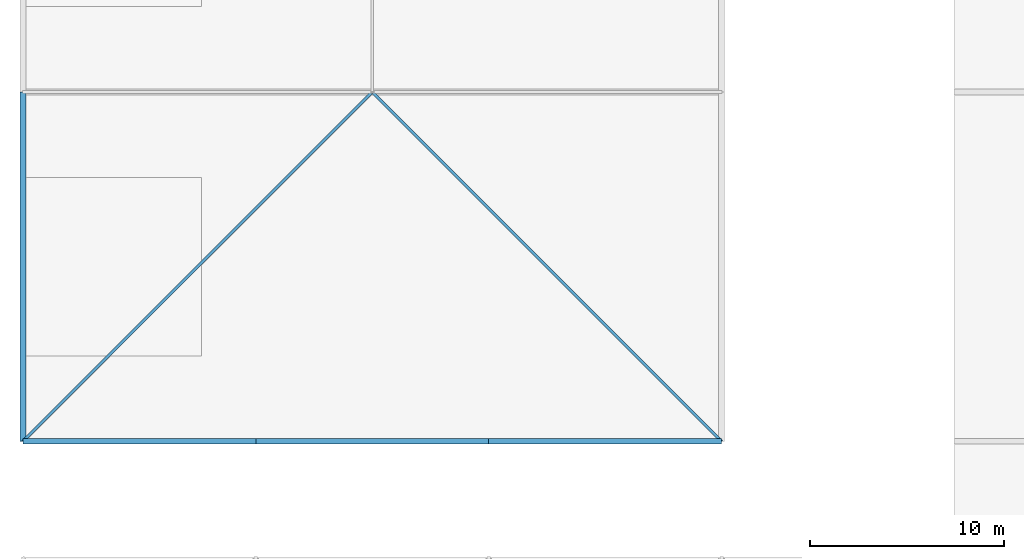
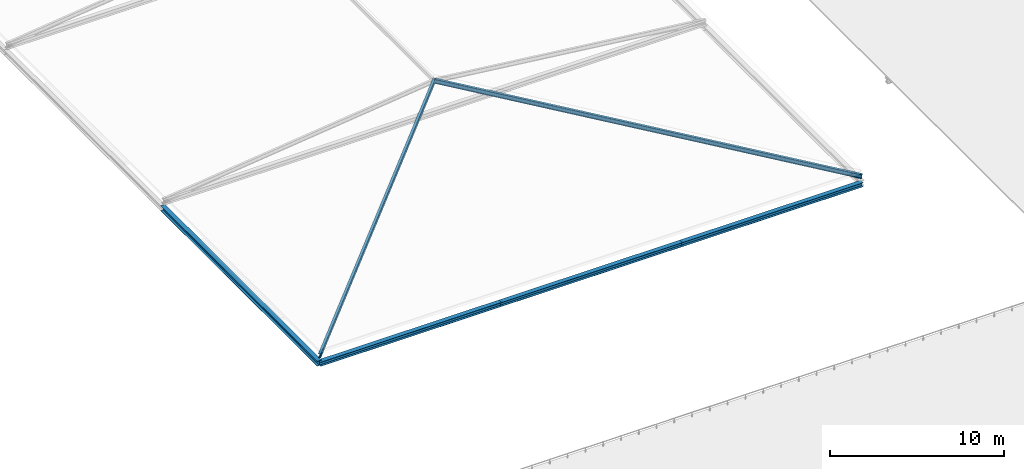
# One storey, part 49 of 204: 4 beams, 2 members.
"""IFC4 building model written with IfcOpenShell, lengths in metres."""

import ifcopenshell
import ifcopenshell.guid

model = None  # the IFC model being written
_history = None  # IfcOwnerHistory: only IFC2X3 demands one
_inside = {}  # id of a spatial element -> (the spatial element, [elements in it])
_under = {}  # id of a project, library or spatial element -> (it, [spatial elements below it])
_declared = {}  # id of a project -> (the project, [libraries it declares])
_typed = {}  # id of a type object -> (the type object, [elements of that type])
_made_of = {}  # id of a material, layer set ... -> (it, [elements and type objects made of it])


def new_model(schema):
    """Start an empty IFC model of exactly this schema.

    Asked for "IFC4X3", IfcOpenShell would pick the latest addendum, in which some entities
    have other attributes; the version numbers below select the first issue.
    IFC2X3 requires an IfcOwnerHistory on every rooted entity: one is made here for all.
    """
    global model, _history
    if schema == "IFC4X3":
        model = ifcopenshell.file(schema_version=(4, 3, 0, 0))
    else:
        model = ifcopenshell.file(schema=schema)
    _inside.clear()
    _under.clear()
    _declared.clear()
    _typed.clear()
    _made_of.clear()
    _history = None
    if model.schema == "IFC2X3":
        org = make("IfcOrganization", Name="unknown")
        user = make(
            "IfcPersonAndOrganization",
            ThePerson=make("IfcPerson", FamilyName="unknown"),
            TheOrganization=org,
        )
        app = make(
            "IfcApplication",
            ApplicationDeveloper=org,
            Version="unknown",
            ApplicationFullName="unknown",
            ApplicationIdentifier="unknown",
        )
        _history = make(
            "IfcOwnerHistory",
            OwningUser=user,
            OwningApplication=app,
            ChangeAction="ADDED",
            CreationDate=0,
        )
    return model


def make(cls, **values):
    """One entity of the class cls with the attributes given. An attribute that is None is left unset."""
    return model.create_entity(
        cls, **{name: value for name, value in values.items() if value is not None}
    )


def rooted(cls, **values):
    """An entity with a GlobalId (a new one), such as an element, a storey or a relation."""
    return make(cls, GlobalId=ifcopenshell.guid.new(), OwnerHistory=_history, **values)


def si_unit(unit_type, name, prefix=None):
    """IfcSIUnit, for example si_unit("LENGTHUNIT", "METRE", prefix="MILLI")."""
    return make("IfcSIUnit", UnitType=unit_type, Prefix=prefix, Name=name)


def assignment(units):
    """IfcUnitAssignment: the units of a project."""
    return None if units is None else make("IfcUnitAssignment", Units=units)


def point(xyz):
    """IfcCartesianPoint."""
    return None if xyz is None else make("IfcCartesianPoint", Coordinates=xyz)


def direction(xyz):
    """IfcDirection."""
    return None if xyz is None else make("IfcDirection", DirectionRatios=xyz)


def frame(location, z_axis=None, x_axis=None):
    """IfcAxis2Placement3D, a coordinate frame: its origin and axes. An axis left out is left unset."""
    return make(
        "IfcAxis2Placement3D",
        Location=point(location),
        Axis=direction(z_axis),
        RefDirection=direction(x_axis),
    )


def frame_2d(location, x_axis=None):
    """IfcAxis2Placement2D, a coordinate frame in the plane: its origin and x axis."""
    return make(
        "IfcAxis2Placement2D", Location=point(location), RefDirection=direction(x_axis)
    )


def origin():
    """The frame at (0, 0, 0) with its axes left unset."""
    return frame((0.0, 0.0, 0.0))


def origin_2d():
    """The frame at (0, 0) in the plane with its x axis left unset."""
    return frame_2d((0.0, 0.0))


def place(relative_to, where):
    """IfcLocalPlacement: puts the frame where relative to a parent placement (None: the world)."""
    return make(
        "IfcLocalPlacement", PlacementRelTo=relative_to, RelativePlacement=where
    )


def context(
    kind, dimensions, precision=None, world=None, true_north=None, identifier=None
):
    """IfcGeometricRepresentationContext, for example the 3D "Model" context."""
    return make(
        "IfcGeometricRepresentationContext",
        ContextIdentifier=identifier,
        ContextType=kind,
        CoordinateSpaceDimension=dimensions,
        Precision=precision,
        WorldCoordinateSystem=world,
        TrueNorth=true_north,
    )


def subcontext(parent, identifier, kind, view, scale=None):
    """IfcGeometricRepresentationSubContext, for example "Body" below "Model"."""
    return make(
        "IfcGeometricRepresentationSubContext",
        ContextIdentifier=identifier,
        ContextType=kind,
        ParentContext=parent,
        TargetScale=scale,
        TargetView=view,
    )


def project(units=None, contexts=None):
    """IfcProject with its units and contexts."""
    return rooted(
        "IfcProject",
        Name="project",
        RepresentationContexts=contexts,
        UnitsInContext=assignment(units),
    )


def spatial(cls, under=None, at=None, **own):
    """A site, building, storey or space (cls), placed at a placement, below another one or the project."""
    s = rooted(cls, ObjectPlacement=at, **own)
    if under is not None:
        _under.setdefault(under.id(), (under, []))[1].append(s)
    return s


def profile(cls, at=None, kind="AREA", **sizes):
    """A parametric profile (cls). Its sizes go by their IFC names, for example OverallWidth=200.0."""
    return make(cls, ProfileType=kind, Position=at, **sizes)


def i_section(**sizes):
    """IfcIShapeProfileDef."""
    return profile("IfcIShapeProfileDef", **sizes)


def extrude(swept, where, along, depth):
    """IfcExtrudedAreaSolid: the profile swept, set in the frame where, extruded along a direction by depth."""
    return make(
        "IfcExtrudedAreaSolid",
        SweptArea=swept,
        Position=where,
        ExtrudedDirection=direction(along),
        Depth=depth,
    )


def shape(context_of_items, identifier, shape_type, items):
    """IfcShapeRepresentation: the items that make up one representation, for example the "Body"."""
    return make(
        "IfcShapeRepresentation",
        ContextOfItems=context_of_items,
        RepresentationIdentifier=identifier,
        RepresentationType=shape_type,
        Items=items,
    )


def material(Name=None, Category=None):
    """IfcMaterial."""
    return make("IfcMaterial", Name=Name, Category=Category)


def material_profile(
    of_material, cross_section, Name=None, Category=None, Priority=None
):
    """IfcMaterialProfile: a cross section and its material."""
    return make(
        "IfcMaterialProfile",
        Name=Name,
        Material=of_material,
        Profile=cross_section,
        Priority=Priority,
        Category=Category,
    )


def profile_set(profiles, Name=None, composite=None):
    """IfcMaterialProfileSet."""
    return make(
        "IfcMaterialProfileSet",
        Name=Name,
        MaterialProfiles=profiles,
        CompositeProfile=composite,
    )


def made_of(thing, what):
    """Note that an element or type object is made of a material, layer set ...; save() writes the relation."""
    if what is not None:
        _made_of.setdefault(what.id(), (what, []))[1].append(thing)
    return thing


def type_object(cls, material=None, **own):
    """A type object (cls), such as IfcWallType, which elements share."""
    return made_of(rooted(cls, **own), material)


def element(
    cls,
    number,
    at=None,
    inside=None,
    cuts=None,
    type_object=None,
    material=None,
    context=None,
    identifier="Body",
    shape_type=None,
    held_by="IfcProductDefinitionShape",
    body=None,
    shapes=None,
    **own,
):
    """One element of the class cls, such as IfcWall. Its Tag is "e" and its number.

    at: its placement. inside: the storey or other place that contains it. cuts: it is an
    opening in that element (IfcRelVoidsElement). A single representation is given by context,
    identifier, shape_type and body (its items); several are given by shapes. held_by: the class
    of the entity that holds the representations. save() writes the other relations.
    """
    e = rooted(cls, Tag="e%d" % number, ObjectPlacement=at, **own)
    if body is not None:
        shapes = [shape(context, identifier, shape_type, body)]
    if shapes is not None:
        e.Representation = make(held_by, Representations=shapes)
    if inside is not None:
        _inside.setdefault(inside.id(), (inside, []))[1].append(e)
    if cuts is not None:
        rooted(
            "IfcRelVoidsElement", RelatingBuildingElement=cuts, RelatedOpeningElement=e
        )
    if type_object is not None:
        _typed.setdefault(type_object.id(), (type_object, []))[1].append(e)
    return made_of(e, material)


def aggregate(whole, parts):
    """IfcRelAggregates: a whole, such as a stair, and the parts it consists of."""
    return rooted("IfcRelAggregates", RelatingObject=whole, RelatedObjects=parts)


def save(model, path):
    """Write the relations noted so far, then the file.

    IfcRelAggregates (storeys below a building ...), IfcRelContainedInSpatialStructure (elements
    in a storey), IfcRelDefinesByType, IfcRelAssociatesMaterial and IfcRelDeclares: one each for
    every whole, place, type object, material and project.
    """
    for whole, parts in _under.values():
        aggregate(whole, parts)
    for where, things in _inside.values():
        rooted(
            "IfcRelContainedInSpatialStructure",
            RelatedElements=things,
            RelatingStructure=where,
        )
    for kind, things in _typed.values():
        rooted("IfcRelDefinesByType", RelatedObjects=things, RelatingType=kind)
    for what, things in _made_of.values():
        rooted("IfcRelAssociatesMaterial", RelatedObjects=things, RelatingMaterial=what)
    for by, libraries in _declared.values():
        rooted("IfcRelDeclares", RelatingContext=by, RelatedDefinitions=libraries)
    model.write(path)


model = new_model("IFC4")

# Units and contexts
model_context = context("Model", 3, precision=1e-05, world=origin(), true_north=direction((0.0, 1.0)))
body_context = subcontext(model_context, "Body", "Model", "MODEL_VIEW")
ifc_project = project(units=[si_unit("LENGTHUNIT", "METRE"), si_unit("AREAUNIT", "SQUARE_METRE"), si_unit("VOLUMEUNIT", "CUBIC_METRE"), si_unit("PLANEANGLEUNIT", "RADIAN"), si_unit("MASSUNIT", "GRAM", prefix="KILO")], contexts=[model_context])

# Site, building, storey
site_placement = place(None, origin())
site = spatial("IfcSite", under=ifc_project, at=site_placement, CompositionType="ELEMENT")
building_placement = place(site_placement, origin())
building = spatial("IfcBuilding", under=site, at=building_placement, Name="Zilviju Railside Exhibition Hall", CompositionType="ELEMENT")
storey_placement = place(building_placement, frame((0.0, 0.0, 21.0)))
storey = spatial("IfcBuildingStorey", under=building, at=storey_placement, Name="RF", CompositionType="ELEMENT", Elevation=21.0)

# Beams
ifc_material = material(Name="Steel S355J2", Category="steel")
ifc_material_profile_1 = material_profile(ifc_material, i_section(OverallWidth=0.300048828125, OverallDepth=0.2900390625, WebThickness=0.008544921875, FlangeThickness=0.013916015625, at=origin_2d()), Name="HEA 300")
ifc_profile_set_1 = profile_set([ifc_material_profile_1], Name="Steel S355J2")
beam_type_1 = type_object("IfcBeamType", Name="BM-HEA300", PredefinedType="SPANDREL", material=ifc_profile_set_1)
for number, where, z_axis, x_axis, name in (
    (1, (0.0, 84.0, -0.5), (1.0, 0.0, 0.0), (0.0, 1.0, 0.0), "Directorate Eave Beam Y=84.0"),
    (2, (12.0, 84.0, -0.5), (1.0, 0.0, 0.0), (0.0, 1.0, 0.0), "Directorate Eave Beam Y=84.0"),
    (3, (24.0, 84.0, -0.5), (1.0, 0.0, 0.0), (0.0, 1.0, 0.0), "Directorate Eave Beam Y=84.0"),
):
    element("IfcBeam", number, at=place(storey_placement, frame(where, z_axis=z_axis, x_axis=x_axis)), inside=storey, type_object=beam_type_1, Name=name, PredefinedType="SPANDREL", context=body_context, shape_type="SweptSolid", body=[
        extrude(i_section(OverallWidth=0.300048828125, OverallDepth=0.2900390625, WebThickness=0.008544921875, FlangeThickness=0.013916015625, at=origin_2d()), origin(), (0.0, 0.0, 1.0), 12.0),
    ])
ifc_material_profile_2 = material_profile(ifc_material, i_section(OverallWidth=0.300048828125, OverallDepth=0.35009765625, WebThickness=0.010009765625, FlangeThickness=0.017578125, at=origin_2d()), Name="HEA 360")
ifc_profile_set_2 = profile_set([ifc_material_profile_2], Name="Steel S355J2")
beam_type_2 = type_object("IfcBeamType", Name="BM-HEA360", PredefinedType="BEAM", material=ifc_profile_set_2)
beam_placement = place(storey_placement, frame((0.0, 84.0, -0.5), z_axis=(0.0, 1.0, 0.0), x_axis=(-1.0, 0.0, 0.0)))
element("IfcBeam", 4, at=beam_placement, inside=storey, type_object=beam_type_2, Name="Directorate Eave Beam X=0.0", PredefinedType="BEAM", context=body_context, shape_type="SweptSolid", body=[
    extrude(i_section(OverallWidth=0.300048828125, OverallDepth=0.35009765625, WebThickness=0.010009765625, FlangeThickness=0.017578125, at=origin_2d()), origin(), (0.0, 0.0, 1.0), 18.0),
])

# Members
ifc_material_profile_3 = material_profile(ifc_material, i_section(OverallWidth=0.14990234375, OverallDepth=0.300048828125, WebThickness=0.007080078125, FlangeThickness=0.0107421875, at=origin_2d()), Name="IPE 300")
ifc_profile_set_3 = profile_set([ifc_material_profile_3], Name="Steel S355J2")
member_type = type_object("IfcMemberType", Name="TR-RAF-IPE300", PredefinedType="RAFTER", material=ifc_profile_set_3)
for number, where, z_axis, x_axis, name in (
    (5, (0.0, 84.0, 0.0), (0.704712644457, 0.704712644457, 0.082220298497), (-0.707106781187, 0.707106781187, 0.0), "Directorate Hip Rafter"),
    (6, (36.0, 84.0, 0.0), (-0.704712644457, 0.704712644457, 0.082220298497), (-0.707106781187, -0.707106781187, 0.0), "Directorate Hip Rafter"),
):
    element("IfcMember", number, at=place(storey_placement, frame(where, z_axis=z_axis, x_axis=x_axis)), inside=storey, type_object=member_type, Name=name, PredefinedType="RAFTER", context=body_context, shape_type="SweptSolid", body=[
        extrude(i_section(OverallWidth=0.14990234375, OverallDepth=0.300048828125, WebThickness=0.007080078125, FlangeThickness=0.0107421875, at=origin_2d()), origin(), (0.0, 0.0, 1.0), 25.542236328125),
    ])

save(model, "model.ifc")
